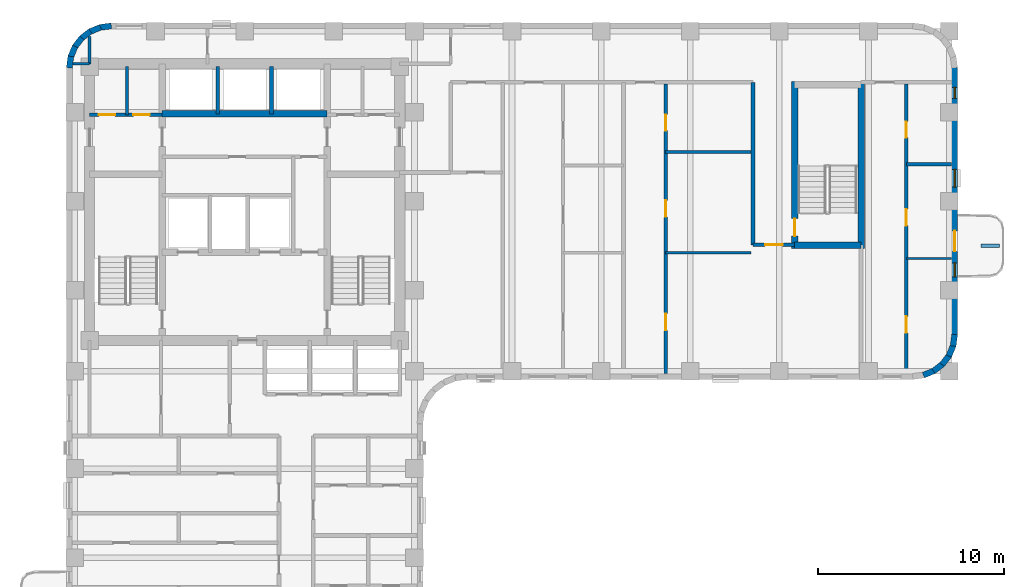
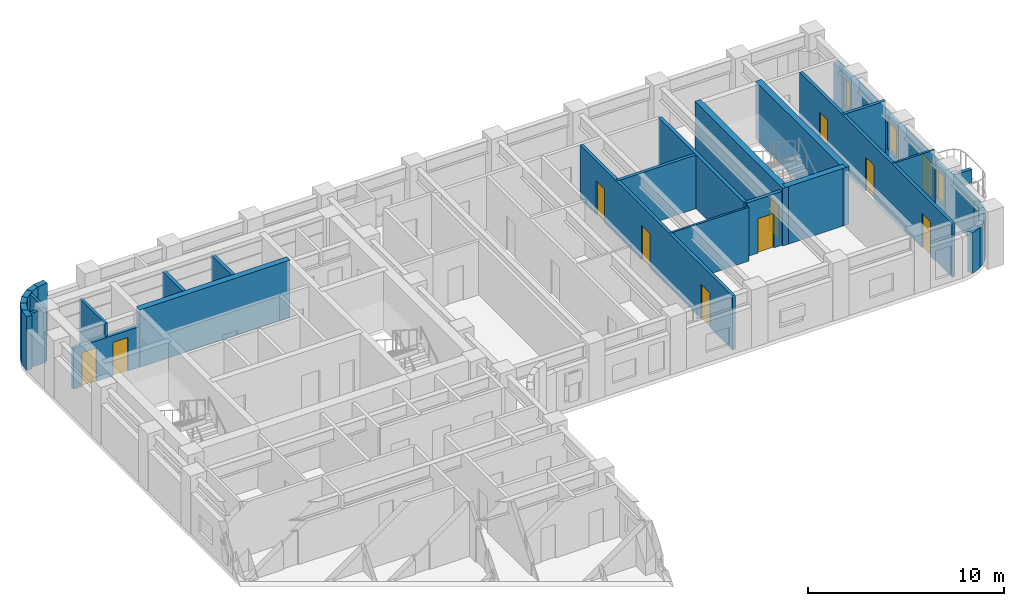
# One storey, part 6 of 10: 31 walls, 11 doors, 3 windows, 14 openings.
"""IFC4 building model written with IfcOpenShell, lengths in metres."""

from ifc_helpers import new_model, si_unit, direction, frame, frame_2d, origin, place, context, subcontext, project, spatial, rectangle, extrude, material, layer, layer_set, type_object, element, fill, save


model = new_model("IFC4")

# Units and contexts
model_context = context("Model", 3, precision=1e-05, world=origin(), true_north=direction((0.0, 1.0)))
body_context = subcontext(model_context, "Body", "Model", "MODEL_VIEW")
ifc_project = project(units=[si_unit("LENGTHUNIT", "METRE"), si_unit("AREAUNIT", "SQUARE_METRE"), si_unit("VOLUMEUNIT", "CUBIC_METRE"), si_unit("PLANEANGLEUNIT", "RADIAN"), si_unit("MASSUNIT", "GRAM", prefix="KILO")], contexts=[model_context])

# Site, building, storey
site_placement = place(None, origin())
site = spatial("IfcSite", under=ifc_project, at=site_placement, CompositionType="ELEMENT")
building_placement = place(site_placement, origin())
building = spatial("IfcBuilding", under=site, at=building_placement, Name="Orvandelia Arch Residences", CompositionType="ELEMENT")
storey_placement = place(building_placement, frame((0.0, 0.0, 110.800048828125)))
storey = spatial("IfcBuildingStorey", under=building, at=storey_placement, Name="L28", CompositionType="ELEMENT", Elevation=110.800048828125)

# Wall
ifc_material_1 = material(Name="Concrete C50/60", Category="concrete")
ifc_layer_1 = layer(ifc_material_1, 0.35009765625, Name="Concrete C50/60", Category="concrete")
ifc_layer_set_1 = layer_set([ifc_layer_1], Name="Concrete C50/60")
wall_type_1 = type_object("IfcWallType", Name="WL-CORE-350", PredefinedType="SHEAR", material=ifc_layer_set_1)
wall_1_placement = place(storey_placement, frame((9.9599609375, 43.10009765625, 0.0), z_axis=(0.0, 0.0, 1.0), x_axis=(1.0, 0.0, 0.0)))
element("IfcWall", 1, at=wall_1_placement, inside=storey, type_object=wall_type_1, Name="Core Shear Wall L28-HZ4", PredefinedType="SHEAR", context=body_context, shape_type="SweptSolid", body=[
    extrude(rectangle(XDim=8.880126953125, YDim=0.35009765625, at=frame_2d((4.43994140625, 0.0))), origin(), (0.0, 0.0, 1.0), 3.599853515625),
])

# Wall, opening, door
wall_2_placement = place(storey_placement, frame((44.02001953125, 35.864990234375, 0.0), z_axis=(0.0, 0.0, 1.0), x_axis=(0.0, 1.0, 0.0)))
wall_2 = element("IfcWall", 2, at=wall_2_placement, inside=storey, type_object=wall_type_1, Name="East Stair Core Shear Wall L28-W", PredefinedType="SHEAR", context=body_context, shape_type="SweptSolid", body=[
    extrude(rectangle(XDim=8.969970703125, YDim=0.35009765625, at=frame_2d((4.48486328125, 0.0))), origin(), (0.0, 0.0, 1.0), 3.599853515625),
])
opening_1_placement = place(wall_2_placement, frame((0.64990234375, 0.0, 0.0)))
opening_1 = element("IfcOpeningElement", 3, at=opening_1_placement, cuts=wall_2, Name="Opening D7", PredefinedType="OPENING", context=body_context, shape_type="SweptSolid", body=[
    extrude(rectangle(XDim=0.949951171875, YDim=2.10009765625, at=frame_2d((0.47509765625, 1.050048828125))), frame((0.0, 0.18505859375, 0.0), z_axis=(0.0, -1.0, 0.0), x_axis=(1.0, 0.0, 0.0)), (0.0, 0.0, 1.0), 0.3701171875),
])
ifc_material_2 = material(Name="Pressurised Stairwell Fire Door")
door_type_1 = type_object("IfcDoorType", Name="DR-STAIR-950", OperationType="NOTDEFINED", PredefinedType="DOOR", material=ifc_material_2)
door_1_placement = place(opening_1_placement, origin())
door_1 = element("IfcDoor", 4, at=door_1_placement, inside=storey, type_object=door_type_1, Name="East Stairwell ST-3 Fire Door L28", OperationType="SINGLE_SWING_LEFT", OverallHeight=2.10009765625, OverallWidth=0.949951171875, PredefinedType="DOOR", context=body_context, shape_type="SweptSolid", body=[
    extrude(rectangle(XDim=0.949951171875, YDim=2.10009765625, at=frame_2d((0.47509765625, 1.050048828125))), frame((0.0, 0.02490234375, 0.0), z_axis=(0.0, -1.0, 0.0), x_axis=(1.0, 0.0, 0.0)), (0.0, 0.0, 1.0), 0.050048828125),
])
fill(opening_1, door_1)

# Walls
wall_3_placement = place(storey_placement, frame((47.60009765625, 35.864990234375, 0.0), z_axis=(0.0, 0.0, 1.0), x_axis=(0.0, 1.0, 0.0)))
element("IfcWall", 5, at=wall_3_placement, inside=storey, type_object=wall_type_1, Name="East Stair Core Shear Wall L28-E", PredefinedType="SHEAR", context=body_context, shape_type="SweptSolid", body=[
    extrude(rectangle(XDim=8.969970703125, YDim=0.35009765625, at=frame_2d((4.48486328125, 0.0))), origin(), (0.0, 0.0, 1.0), 3.599853515625),
])
wall_4_placement = place(storey_placement, frame((44.02001953125, 36.0400390625, 0.0), z_axis=(0.0, 0.0, 1.0), x_axis=(1.0, 0.0, 0.0)))
element("IfcWall", 6, at=wall_4_placement, inside=storey, type_object=wall_type_1, Name="East Stair Core Shear Wall L28-S", PredefinedType="SHEAR", context=body_context, shape_type="SweptSolid", body=[
    extrude(rectangle(XDim=3.580078125, YDim=0.35009765625, at=frame_2d((1.7900390625, 0.0))), origin(), (0.0, 0.0, 1.0), 3.599853515625),
])
ifc_material_3 = material(Name="Fire-Rated Corridor Partition")
ifc_layer_2 = layer(ifc_material_3, 0.199951171875, Name="Fire-Rated Corridor Partition")
ifc_layer_set_2 = layer_set([ifc_layer_2], Name="Fire-Rated Corridor Partition")
wall_type_2 = type_object("IfcWallType", Name="WL-CORR-200", PredefinedType="PARTITIONING", material=ifc_layer_set_2)
wall_5_placement = place(storey_placement, frame((41.780029296875, 36.050048828125, 0.0), z_axis=(0.0, 0.0, 1.0), x_axis=(0.0, 1.0, 0.0)))
element("IfcWall", 7, at=wall_5_placement, inside=storey, type_object=wall_type_2, Name="Interior Partition Wall WL-L28-EN2-SW", PredefinedType="PARTITIONING", context=body_context, shape_type="SweptSolid", body=[
    extrude(rectangle(XDim=8.75, YDim=0.199951171875, at=frame_2d((4.375, 0.0))), origin(), (0.0, 0.0, 1.0), 3.35986328125),
])

# Wall, opening, door
wall_6_placement = place(storey_placement, frame((41.780029296875, 36.050048828125, 0.0), z_axis=(0.0, 0.0, 1.0), x_axis=(1.0, 0.0, 0.0)))
wall_6 = element("IfcWall", 8, at=wall_6_placement, inside=storey, type_object=wall_type_2, Name="Interior Partition Wall WL-L28-EN2-SS", PredefinedType="PARTITIONING", context=body_context, shape_type="SweptSolid", body=[
    extrude(rectangle(XDim=2.239990234375, YDim=0.199951171875, at=frame_2d((1.1201171875, 0.0))), origin(), (0.0, 0.0, 1.0), 3.35986328125),
])
opening_2_placement = place(wall_6_placement, frame((0.64990234375, 0.0, 0.0)))
opening_2 = element("IfcOpeningElement", 9, at=opening_2_placement, cuts=wall_6, Name="Opening D2", PredefinedType="OPENING", context=body_context, shape_type="SweptSolid", body=[
    extrude(rectangle(XDim=0.949951171875, YDim=2.14990234375, at=frame_2d((0.47509765625, 1.074951171875))), frame((0.0, 0.10986328125, 0.0), z_axis=(0.0, -1.0, 0.0), x_axis=(1.0, 0.0, 0.0)), (0.0, 0.0, 1.0), 0.219970703125),
])
ifc_material_4 = material(Name="Solid-Core Timber Interior Fire Door", Category="wood")
door_type_2 = type_object("IfcDoorType", Name="DR-APT-950", OperationType="NOTDEFINED", PredefinedType="DOOR", material=ifc_material_4)
door_2_placement = place(opening_2_placement, origin())
door_2 = element("IfcDoor", 10, at=door_2_placement, inside=storey, type_object=door_type_2, Name="DR-L28-EN2SLN", OperationType="SINGLE_SWING_LEFT", OverallHeight=2.14990234375, OverallWidth=0.949951171875, PredefinedType="DOOR", context=body_context, shape_type="SweptSolid", body=[
    extrude(rectangle(XDim=0.949951171875, YDim=2.14990234375, at=frame_2d((0.47509765625, 1.074951171875))), frame((0.0, 0.02490234375, 0.0), z_axis=(0.0, -1.0, 0.0), x_axis=(1.0, 0.0, 0.0)), (0.0, 0.0, 1.0), 0.050048828125),
])
fill(opening_2, door_2)

# Walls
ifc_material_5 = material(Name="Precast concrete C40/50", Category="concrete")
ifc_layer_3 = layer(ifc_material_5, 0.320068359375, Name="Precast concrete C40/50", Category="concrete")
ifc_layer_set_3 = layer_set([ifc_layer_3], Name="Precast concrete C40/50")
wall_type_3 = type_object("IfcWallType", Name="WL-EXT-STONE-320", PredefinedType="STANDARD", material=ifc_layer_set_3)
for number, where, z_axis, x_axis, name in (
    (11, (4.95849609375, 45.5791015625, 0.0), (0.0, 0.0, 1.0), (0.130555323746, 0.9914410257, 0.0), "Coral-Limestone Precast Facade Wall L28-001"),
    (12, (5.029541015625, 46.159912109375, 0.0), (0.0, 0.0, 1.0), (0.382650053678, 0.92389335771, 0.0), "Coral-Limestone Precast Facade Wall L28-002"),
):
    element("IfcWall", number, at=place(storey_placement, frame(where, z_axis=z_axis, x_axis=x_axis)), inside=storey, type_object=wall_type_3, Name=name, PredefinedType="STANDARD", context=body_context, shape_type="SweptSolid", body=[
        extrude(rectangle(XDim=0.62646484375, YDim=0.320068359375, at=frame_2d((0.313232421875, 0.0))), origin(), (0.0, 0.0, 1.0), 3.35986328125),
    ])
wall_7_placement = place(storey_placement, frame((5.248291015625, 46.70263671875, 0.0), z_axis=(0.0, 0.0, 1.0), x_axis=(0.608938521285, 0.7932174212, 0.0)))
element("IfcWall", 13, at=wall_7_placement, inside=storey, type_object=wall_type_3, Name="Coral-Limestone Precast Facade Wall L28-003", PredefinedType="STANDARD", context=body_context, shape_type="SweptSolid", body=[
    extrude(rectangle(XDim=0.626708984375, YDim=0.320068359375, at=frame_2d((0.3134765625, 0.0))), origin(), (0.0, 0.0, 1.0), 3.35986328125),
])
wall_8_placement = place(storey_placement, frame((5.600341796875, 47.170166015625, 0.0), z_axis=(0.0, 0.0, 1.0), x_axis=(0.793405610854, 0.608693302629, 0.0)))
element("IfcWall", 14, at=wall_8_placement, inside=storey, type_object=wall_type_3, Name="Coral-Limestone Precast Facade Wall L28-004", PredefinedType="STANDARD", context=body_context, shape_type="SweptSolid", body=[
    extrude(rectangle(XDim=0.62646484375, YDim=0.320068359375, at=frame_2d((0.313232421875, 0.0))), origin(), (0.0, 0.0, 1.0), 3.35986328125),
])
wall_9_placement = place(storey_placement, frame((6.061279296875, 47.53076171875, 0.0), z_axis=(0.0, 0.0, 1.0), x_axis=(0.923836271867, 0.382787856107, 0.0)))
element("IfcWall", 15, at=wall_9_placement, inside=storey, type_object=wall_type_3, Name="Coral-Limestone Precast Facade Wall L28-005", PredefinedType="STANDARD", context=body_context, shape_type="SweptSolid", body=[
    extrude(rectangle(XDim=0.626220703125, YDim=0.320068359375, at=frame_2d((0.31298828125, 0.0))), origin(), (0.0, 0.0, 1.0), 3.35986328125),
])
wall_10_placement = place(storey_placement, frame((6.599609375, 47.759521484375, 0.0), z_axis=(0.0, 0.0, 1.0), x_axis=(0.991447664465, 0.130504898859, 0.0)))
element("IfcWall", 16, at=wall_10_placement, inside=storey, type_object=wall_type_3, Name="Coral-Limestone Precast Facade Wall L28-006", PredefinedType="STANDARD", context=body_context, shape_type="SweptSolid", body=[
    extrude(rectangle(XDim=0.626708984375, YDim=0.320068359375, at=frame_2d((0.3134765625, 0.0))), origin(), (0.0, 0.0, 1.0), 3.35986328125),
])

# Wall, openings, door, windows
wall_11_placement = place(storey_placement, frame((52.639892578125, 45.60009765625, 0.0), z_axis=(0.0, 0.0, 1.0), x_axis=(0.0, -1.0, 0.0)))
wall_11 = element("IfcWall", 17, at=wall_11_placement, inside=storey, type_object=wall_type_3, Name="Coral-Limestone Precast Facade Wall L28-014", PredefinedType="STANDARD", context=body_context, shape_type="SweptSolid", body=[
    extrude(rectangle(XDim=14.400146484375, YDim=0.320068359375, at=frame_2d((7.2001953125, 0.0))), origin(), (0.0, 0.0, 1.0), 2.5400390625),
])
opening_3_placement = place(wall_11_placement, frame((8.800048828125, 0.0, 0.0)))
opening_3 = element("IfcOpeningElement", 18, at=opening_3_placement, cuts=wall_11, Name="Opening BD1", PredefinedType="OPENING", context=body_context, shape_type="SweptSolid", body=[
    extrude(rectangle(XDim=1.10009765625, YDim=2.14990234375, at=frame_2d((0.550048828125, 1.074951171875))), frame((0.0, 0.169921875, 0.0), z_axis=(0.0, -1.0, 0.0), x_axis=(1.0, 0.0, 0.0)), (0.0, 0.0, 1.0), 0.340087890625),
])
opening_4_placement = place(wall_11_placement, frame((10.51953125, 0.0, 0.449951171875)))
opening_4 = element("IfcOpeningElement", 19, at=opening_4_placement, cuts=wall_11, Name="Opening W11", PredefinedType="OPENING", context=body_context, shape_type="SweptSolid", body=[
    extrude(rectangle(XDim=0.75, YDim=1.800048828125, at=frame_2d((0.375, 0.89990234375))), frame((0.0, 0.169921875, 0.0), z_axis=(0.0, -1.0, 0.0), x_axis=(1.0, 0.0, 0.0)), (0.0, 0.0, 1.0), 0.340087890625),
])
opening_5_placement = place(wall_11_placement, frame((1.0625, 0.0, 0.449951171875)))
opening_5 = element("IfcOpeningElement", 20, at=opening_5_placement, cuts=wall_11, Name="Opening W12", PredefinedType="OPENING", context=body_context, shape_type="SweptSolid", body=[
    extrude(rectangle(XDim=0.60009765625, YDim=1.800048828125, at=frame_2d((0.300048828125, 0.89990234375))), frame((0.0, 0.169921875, 0.0), z_axis=(0.0, -1.0, 0.0), x_axis=(1.0, 0.0, 0.0)), (0.0, 0.0, 1.0), 0.340087890625),
])
opening_6_placement = place(wall_11_placement, frame((5.486083984375, 0.0, 0.449951171875)))
opening_6 = element("IfcOpeningElement", 21, at=opening_6_placement, cuts=wall_11, Name="Opening W4", PredefinedType="OPENING", context=body_context, shape_type="SweptSolid", body=[
    extrude(rectangle(XDim=0.949951171875, YDim=1.800048828125, at=frame_2d((0.47509765625, 0.89990234375))), frame((0.0, 0.169921875, 0.0), z_axis=(0.0, -1.0, 0.0), x_axis=(1.0, 0.0, 0.0)), (0.0, 0.0, 1.0), 0.340087890625),
])
ifc_material_6 = material(Name="Thermally Broken Aluminium Glazed Door", Category="aluminium")
door_type_3 = type_object("IfcDoorType", Name="DR-BAL-GLAZ-1100", OperationType="NOTDEFINED", PredefinedType="DOOR", material=ifc_material_6)
door_3_placement = place(opening_3_placement, origin())
door_3 = element("IfcDoor", 22, at=door_3_placement, inside=storey, type_object=door_type_3, Name="Tree Balcony Glazed Door BAL-L28-E1", OperationType="SINGLE_SWING_LEFT", OverallHeight=2.14990234375, OverallWidth=1.10009765625, PredefinedType="DOOR", context=body_context, shape_type="SweptSolid", body=[
    extrude(rectangle(XDim=1.10009765625, YDim=2.14990234375, at=frame_2d((0.550048828125, 1.074951171875))), frame((0.0, 0.02490234375, 0.0), z_axis=(0.0, -1.0, 0.0), x_axis=(1.0, 0.0, 0.0)), (0.0, 0.0, 1.0), 0.050048828125),
])
fill(opening_3, door_3)
ifc_material_7 = material(Name="Tempered Low-E Insulated Glazing", Category="glass")
window_type_1 = type_object("IfcWindowType", Name="WIN-BED-0750x1800", PartitioningType="SINGLE_PANEL", PredefinedType="WINDOW", material=ifc_material_7)
window_1_placement = place(opening_4_placement, origin())
window_1 = element("IfcWindow", 23, at=window_1_placement, inside=storey, type_object=window_type_1, Name="Recessed Punched Window L28-004", OverallHeight=1.800048828125, OverallWidth=0.75, PartitioningType="SINGLE_PANEL", PredefinedType="WINDOW", context=body_context, shape_type="SweptSolid", body=[
    extrude(rectangle(XDim=0.75, YDim=1.800048828125, at=frame_2d((0.375, 0.89990234375))), frame((0.0, 0.030029296875, 0.0), z_axis=(0.0, -1.0, 0.0), x_axis=(1.0, 0.0, 0.0)), (0.0, 0.0, 1.0), 0.06005859375),
])
fill(opening_4, window_1)
window_type_2 = type_object("IfcWindowType", Name="WIN-LAN-0600x1800", PartitioningType="SINGLE_PANEL", PredefinedType="WINDOW", material=ifc_material_7)
window_2_placement = place(opening_5_placement, origin())
window_2 = element("IfcWindow", 24, at=window_2_placement, inside=storey, type_object=window_type_2, Name="Recessed Punched Window L28-005", OverallHeight=1.800048828125, OverallWidth=0.60009765625, PartitioningType="SINGLE_PANEL", PredefinedType="WINDOW", context=body_context, shape_type="SweptSolid", body=[
    extrude(rectangle(XDim=0.60009765625, YDim=1.800048828125, at=frame_2d((0.300048828125, 0.89990234375))), frame((0.0, 0.030029296875, 0.0), z_axis=(0.0, -1.0, 0.0), x_axis=(1.0, 0.0, 0.0)), (0.0, 0.0, 1.0), 0.06005859375),
])
fill(opening_5, window_2)
window_type_3 = type_object("IfcWindowType", Name="WIN-RES-0950x1800", PartitioningType="SINGLE_PANEL", PredefinedType="WINDOW", material=ifc_material_7)
window_3_placement = place(opening_6_placement, origin())
window_3 = element("IfcWindow", 25, at=window_3_placement, inside=storey, type_object=window_type_3, Name="Recessed Punched Window L28-006", OverallHeight=1.800048828125, OverallWidth=0.949951171875, PartitioningType="SINGLE_PANEL", PredefinedType="WINDOW", context=body_context, shape_type="SweptSolid", body=[
    extrude(rectangle(XDim=0.949951171875, YDim=1.800048828125, at=frame_2d((0.47509765625, 0.89990234375))), frame((0.0, 0.030029296875, 0.0), z_axis=(0.0, -1.0, 0.0), x_axis=(1.0, 0.0, 0.0)), (0.0, 0.0, 1.0), 0.06005859375),
])
fill(opening_6, window_3)

# Walls
wall_12_placement = place(storey_placement, frame((52.641357421875, 31.220947265625, 0.0), z_axis=(0.0, 0.0, 1.0), x_axis=(-0.130504898859, -0.991447664465, 0.0)))
element("IfcWall", 26, at=wall_12_placement, inside=storey, type_object=wall_type_3, Name="Coral-Limestone Precast Facade Wall L28-015", PredefinedType="STANDARD", context=body_context, shape_type="SweptSolid", body=[
    extrude(rectangle(XDim=0.626708984375, YDim=0.320068359375, at=frame_2d((0.3134765625, 0.0))), origin(), (0.0, 0.0, 1.0), 2.5400390625),
])
wall_13_placement = place(storey_placement, frame((52.5703125, 30.639892578125, 0.0), z_axis=(0.0, 0.0, 1.0), x_axis=(-0.382455093999, -0.923974080304, 0.0)))
element("IfcWall", 27, at=wall_13_placement, inside=storey, type_object=wall_type_3, Name="Coral-Limestone Precast Facade Wall L28-016", PredefinedType="STANDARD", context=body_context, shape_type="SweptSolid", body=[
    extrude(rectangle(XDim=0.626220703125, YDim=0.320068359375, at=frame_2d((0.31298828125, 0.0))), origin(), (0.0, 0.0, 1.0), 2.5400390625),
])
wall_14_placement = place(storey_placement, frame((52.3515625, 30.097412109375, 0.0), z_axis=(0.0, 0.0, 1.0), x_axis=(-0.608693302629, -0.793405610854, 0.0)))
element("IfcWall", 28, at=wall_14_placement, inside=storey, type_object=wall_type_3, Name="Coral-Limestone Precast Facade Wall L28-017", PredefinedType="STANDARD", context=body_context, shape_type="SweptSolid", body=[
    extrude(rectangle(XDim=0.62646484375, YDim=0.320068359375, at=frame_2d((0.313232421875, 0.0))), origin(), (0.0, 0.0, 1.0), 2.5400390625),
])
wall_15_placement = place(storey_placement, frame((51.999755859375, 29.6298828125, 0.0), z_axis=(0.0, 0.0, 1.0), x_axis=(-0.7932174212, -0.608938521285, 0.0)))
element("IfcWall", 29, at=wall_15_placement, inside=storey, type_object=wall_type_3, Name="Coral-Limestone Precast Facade Wall L28-018", PredefinedType="STANDARD", context=body_context, shape_type="SweptSolid", body=[
    extrude(rectangle(XDim=0.626708984375, YDim=0.320068359375, at=frame_2d((0.3134765625, 0.0))), origin(), (0.0, 0.0, 1.0), 2.5400390625),
])
wall_16_placement = place(storey_placement, frame((51.538818359375, 29.269287109375, 0.0), z_axis=(0.0, 0.0, 1.0), x_axis=(-0.92389335771, -0.382650053678, 0.0)))
element("IfcWall", 30, at=wall_16_placement, inside=storey, type_object=wall_type_3, Name="Coral-Limestone Precast Facade Wall L28-019", PredefinedType="STANDARD", context=body_context, shape_type="SweptSolid", body=[
    extrude(rectangle(XDim=0.62646484375, YDim=0.320068359375, at=frame_2d((0.313232421875, 0.0))), origin(), (0.0, 0.0, 1.0), 2.5400390625),
])
ifc_material_8 = material(Name="Lightweight Gypsum Stud Partition")
ifc_layer_4 = layer(ifc_material_8, 0.1201171875, Name="Lightweight Gypsum Stud Partition")
ifc_layer_set_4 = layer_set([ifc_layer_4], Name="Lightweight Gypsum Stud Partition")
wall_type_4 = type_object("IfcWallType", Name="WL-PART-120", PredefinedType="PARTITIONING", material=ifc_layer_set_4)
wall_17_placement = place(storey_placement, frame((37.080078125, 35.62890625, 0.0), z_axis=(0.0, 0.0, 1.0), x_axis=(1.0, 0.0, 0.0)))
element("IfcWall", 31, at=wall_17_placement, inside=storey, type_object=wall_type_4, Name="Interior Partition Wall WL-L28-U09-H1", PredefinedType="PARTITIONING", context=body_context, shape_type="SweptSolid", body=[
    extrude(rectangle(XDim=4.599853515625, YDim=0.1201171875, at=frame_2d((2.2998046875, 0.0))), origin(), (0.0, 0.0, 1.0), 3.35986328125),
])
wall_18_placement = place(storey_placement, frame((50.04296875, 35.31591796875, 0.0), z_axis=(0.0, 0.0, 1.0), x_axis=(1.0, 0.0, 0.0)))
element("IfcWall", 32, at=wall_18_placement, inside=storey, type_object=wall_type_4, Name="Interior Partition Wall WL-L28-U10-H1", PredefinedType="PARTITIONING", context=body_context, shape_type="SweptSolid", body=[
    extrude(rectangle(XDim=2.43701171875, YDim=0.1201171875, at=frame_2d((1.218505859375, 0.0))), origin(), (0.0, 0.0, 1.0), 3.35986328125),
])
ifc_material_9 = material(Name="Acoustic Gypsum Stud Partition")
ifc_layer_5 = layer(ifc_material_9, 0.14990234375, Name="Acoustic Gypsum Stud Partition")
ifc_layer_set_5 = layer_set([ifc_layer_5], Name="Acoustic Gypsum Stud Partition")
wall_type_5 = type_object("IfcWallType", Name="WL-PART-150", PredefinedType="PARTITIONING", material=ifc_layer_set_5)
wall_19_placement = place(storey_placement, frame((8.06005859375, 43.050048828125, 0.0), z_axis=(0.0, 0.0, 1.0), x_axis=(0.0, 1.0, 0.0)))
element("IfcWall", 33, at=wall_19_placement, inside=storey, type_object=wall_type_5, Name="Interior Partition Wall WL-L28-CRELC-M", PredefinedType="PARTITIONING", context=body_context, shape_type="SweptSolid", body=[
    extrude(rectangle(XDim=2.599853515625, YDim=0.14990234375, at=frame_2d((1.2998046875, 0.0))), origin(), (0.0, 0.0, 1.0), 3.35986328125),
])
wall_20_placement = place(storey_placement, frame((5.159912109375, 45.800048828125, 0.0), z_axis=(0.0, 0.0, 1.0), x_axis=(1.0, 0.0, 0.0)))
element("IfcWall", 34, at=wall_20_placement, inside=storey, type_object=wall_type_5, Name="Interior Partition Wall WL-L28-WF-N", PredefinedType="PARTITIONING", context=body_context, shape_type="SweptSolid", body=[
    extrude(rectangle(XDim=0.89013671875, YDim=0.14990234375, at=frame_2d((0.445068359375, 0.0))), origin(), (0.0, 0.0, 1.0), 3.35986328125),
])
wall_21_placement = place(storey_placement, frame((6.050048828125, 45.800048828125, 0.0), z_axis=(0.0, 0.0, 1.0), x_axis=(0.0, 1.0, 0.0)))
element("IfcWall", 35, at=wall_21_placement, inside=storey, type_object=wall_type_5, Name="Interior Partition Wall WL-L28-NC-W6", PredefinedType="PARTITIONING", context=body_context, shape_type="SweptSolid", body=[
    extrude(rectangle(XDim=1.4599609375, YDim=0.14990234375, at=frame_2d((0.72998046875, 0.0))), origin(), (0.0, 0.0, 1.0), 3.35986328125),
])
ifc_layer_6 = layer(ifc_material_5, 0.199951171875, Name="Precast concrete C40/50", Category="concrete")
ifc_layer_set_6 = layer_set([ifc_layer_6], Name="Precast concrete C40/50")
wall_type_6 = type_object("IfcWallType", Name="WL-PLANTER-200", PredefinedType="MOVABLE", material=ifc_layer_set_6)
wall_22_placement = place(storey_placement, frame((54.050048828125, 36.0, 0.0), z_axis=(0.0, 0.0, 1.0), x_axis=(1.0, 0.0, 0.0)))
element("IfcWall", 36, at=wall_22_placement, inside=storey, type_object=wall_type_6, Name="Balcony Precast Tree Planter BAL-L28-E1", PredefinedType="MOVABLE", context=body_context, shape_type="SweptSolid", body=[
    extrude(rectangle(XDim=1.0, YDim=0.199951171875, at=frame_2d((0.5, 0.0))), origin(), (0.0, 0.0, 1.0), 0.849853515625),
])

# Wall, openings, doors
ifc_material_10 = material(Name="Fire-Rated Shaft Enclosure Wall")
ifc_layer_7 = layer(ifc_material_10, 0.199951171875, Name="Fire-Rated Shaft Enclosure Wall")
ifc_layer_set_7 = layer_set([ifc_layer_7], Name="Fire-Rated Shaft Enclosure Wall")
wall_type_7 = type_object("IfcWallType", Name="WL-SHAFT-200", PredefinedType="POLYGONAL", material=ifc_layer_set_7)
wall_23_placement = place(storey_placement, frame((6.050048828125, 43.050048828125, 0.0), z_axis=(0.0, 0.0, 1.0), x_axis=(1.0, 0.0, 0.0)))
wall_23 = element("IfcWall", 37, at=wall_23_placement, inside=storey, type_object=wall_type_7, Name="Interior Partition Wall WL-L28-HLW-N", PredefinedType="POLYGONAL", context=body_context, shape_type="SweptSolid", body=[
    extrude(rectangle(XDim=3.909912109375, YDim=0.199951171875, at=frame_2d((1.955078125, 0.0))), origin(), (0.0, 0.0, 1.0), 2.5400390625),
])
opening_7_placement = place(wall_23_placement, frame((0.5, 0.0, 0.0)))
opening_7 = element("IfcOpeningElement", 38, at=opening_7_placement, cuts=wall_23, Name="Opening D5", PredefinedType="OPENING", context=body_context, shape_type="SweptSolid", body=[
    extrude(rectangle(XDim=0.8798828125, YDim=2.10009765625, at=frame_2d((0.43994140625, 1.050048828125))), frame((0.0, 0.10986328125, 0.0), z_axis=(0.0, -1.0, 0.0), x_axis=(1.0, 0.0, 0.0)), (0.0, 0.0, 1.0), 0.219970703125),
])
opening_8_placement = place(wall_23_placement, frame((2.35009765625, 0.0, 0.0)))
opening_8 = element("IfcOpeningElement", 39, at=opening_8_placement, cuts=wall_23, Name="Opening D5", PredefinedType="OPENING", context=body_context, shape_type="SweptSolid", body=[
    extrude(rectangle(XDim=0.8798828125, YDim=2.10009765625, at=frame_2d((0.43994140625, 1.050048828125))), frame((0.0, 0.10986328125, 0.0), z_axis=(0.0, -1.0, 0.0), x_axis=(1.0, 0.0, 0.0)), (0.0, 0.0, 1.0), 0.219970703125),
])
ifc_material_11 = material(Name="Painted Galvanised Steel Service Door", Category="steel")
door_type_4 = type_object("IfcDoorType", Name="DR-SRV-880", OperationType="NOTDEFINED", PredefinedType="DOOR", material=ifc_material_11)
door_4_placement = place(opening_7_placement, origin())
door_4 = element("IfcDoor", 40, at=door_4_placement, inside=storey, type_object=door_type_4, Name="DR-L28-CRELC1", OperationType="SINGLE_SWING_LEFT", OverallHeight=2.10009765625, OverallWidth=0.8798828125, PredefinedType="DOOR", context=body_context, shape_type="SweptSolid", body=[
    extrude(rectangle(XDim=0.8798828125, YDim=2.10009765625, at=frame_2d((0.43994140625, 1.050048828125))), frame((0.0, 0.02490234375, 0.0), z_axis=(0.0, -1.0, 0.0), x_axis=(1.0, 0.0, 0.0)), (0.0, 0.0, 1.0), 0.050048828125),
])
fill(opening_7, door_4)
door_5_placement = place(opening_8_placement, origin())
door_5 = element("IfcDoor", 41, at=door_5_placement, inside=storey, type_object=door_type_4, Name="DR-L28-CRELC2", OperationType="SINGLE_SWING_RIGHT", OverallHeight=2.10009765625, OverallWidth=0.8798828125, PredefinedType="DOOR", context=body_context, shape_type="SweptSolid", body=[
    extrude(rectangle(XDim=0.8798828125, YDim=2.10009765625, at=frame_2d((0.43994140625, 1.050048828125))), frame((0.0, 0.02490234375, 0.0), z_axis=(0.0, -1.0, 0.0), x_axis=(1.0, 0.0, 0.0)), (0.0, 0.0, 1.0), 0.050048828125),
])
fill(opening_8, door_5)

# Walls
for number, where, z_axis, x_axis, name in (
    (42, (12.949951171875, 43.10009765625, 0.0), (0.0, 0.0, 1.0), (0.0, 1.0, 0.0), "Interior Partition Wall WL-L28-PHD1"),
    (43, (15.85009765625, 43.10009765625, 0.0), (0.0, 0.0, 1.0), (0.0, 1.0, 0.0), "Interior Partition Wall WL-L28-PHD2"),
):
    element("IfcWall", number, at=place(storey_placement, frame(where, z_axis=z_axis, x_axis=x_axis)), inside=storey, type_object=wall_type_7, Name=name, PredefinedType="POLYGONAL", context=body_context, shape_type="SweptSolid", body=[
        extrude(rectangle(XDim=2.5498046875, YDim=0.199951171875, at=frame_2d((1.27490234375, 0.0))), origin(), (0.0, 0.0, 1.0), 3.35986328125),
    ])

# Wall, openings, doors
ifc_material_12 = material(Name="Moisture-Resistant Plumbing Wall")
ifc_layer_8 = layer(ifc_material_12, 0.179931640625, Name="Moisture-Resistant Plumbing Wall")
ifc_layer_set_8 = layer_set([ifc_layer_8], Name="Moisture-Resistant Plumbing Wall")
wall_type_8 = type_object("IfcWallType", Name="WL-WET-180", PredefinedType="PLUMBINGWALL", material=ifc_layer_set_8)
wall_24_placement = place(storey_placement, frame((37.080078125, 29.1201171875, 0.0), z_axis=(0.0, 0.0, 1.0), x_axis=(0.0, 1.0, 0.0)))
wall_24 = element("IfcWall", 44, at=wall_24_placement, inside=storey, type_object=wall_type_8, Name="Interior Partition Wall WL-L28-U09-VT", PredefinedType="PLUMBINGWALL", context=body_context, shape_type="SweptSolid", body=[
    extrude(rectangle(XDim=15.579833984375, YDim=0.179931640625, at=frame_2d((7.7900390625, 0.0))), origin(), (0.0, 0.0, 1.0), 3.35986328125),
])
opening_9_placement = place(wall_24_placement, frame((2.323486328125, 0.0, 0.0)))
opening_9 = element("IfcOpeningElement", 45, at=opening_9_placement, cuts=wall_24, Name="Opening D3", PredefinedType="OPENING", context=body_context, shape_type="SweptSolid", body=[
    extrude(rectangle(XDim=0.89990234375, YDim=2.14990234375, at=frame_2d((0.449951171875, 1.074951171875))), frame((0.0, 0.10009765625, 0.0), z_axis=(0.0, -1.0, 0.0), x_axis=(1.0, 0.0, 0.0)), (0.0, 0.0, 1.0), 0.199951171875),
])
opening_10_placement = place(wall_24_placement, frame((8.430908203125, 0.0, 0.0)))
opening_10 = element("IfcOpeningElement", 46, at=opening_10_placement, cuts=wall_24, Name="Opening D3", PredefinedType="OPENING", context=body_context, shape_type="SweptSolid", body=[
    extrude(rectangle(XDim=0.89990234375, YDim=2.14990234375, at=frame_2d((0.449951171875, 1.074951171875))), frame((0.0, 0.10009765625, 0.0), z_axis=(0.0, -1.0, 0.0), x_axis=(1.0, 0.0, 0.0)), (0.0, 0.0, 1.0), 0.199951171875),
])
opening_11_placement = place(wall_24_placement, frame((13.077392578125, 0.0, 0.0)))
opening_11 = element("IfcOpeningElement", 47, at=opening_11_placement, cuts=wall_24, Name="Opening D4", PredefinedType="OPENING", context=body_context, shape_type="SweptSolid", body=[
    extrude(rectangle(XDim=0.860107421875, YDim=2.10009765625, at=frame_2d((0.43017578125, 1.050048828125))), frame((0.0, 0.10009765625, 0.0), z_axis=(0.0, -1.0, 0.0), x_axis=(1.0, 0.0, 0.0)), (0.0, 0.0, 1.0), 0.199951171875),
])
ifc_material_13 = material(Name="Engineered Timber Flush Door", Category="wood")
door_type_5 = type_object("IfcDoorType", Name="DR-INT-900", OperationType="NOTDEFINED", PredefinedType="DOOR", material=ifc_material_13)
door_6_placement = place(opening_9_placement, origin())
door_6 = element("IfcDoor", 48, at=door_6_placement, inside=storey, type_object=door_type_5, Name="DR-L28-U09-STDY", OperationType="SINGLE_SWING_LEFT", OverallHeight=2.14990234375, OverallWidth=0.89990234375, PredefinedType="DOOR", context=body_context, shape_type="SweptSolid", body=[
    extrude(rectangle(XDim=0.89990234375, YDim=2.14990234375, at=frame_2d((0.449951171875, 1.074951171875))), frame((0.0, 0.02490234375, 0.0), z_axis=(0.0, -1.0, 0.0), x_axis=(1.0, 0.0, 0.0)), (0.0, 0.0, 1.0), 0.050048828125),
])
fill(opening_9, door_6)
door_7_placement = place(opening_10_placement, origin())
door_7 = element("IfcDoor", 49, at=door_7_placement, inside=storey, type_object=door_type_5, Name="DR-L28-U09-KIT", OperationType="SINGLE_SWING_RIGHT", OverallHeight=2.14990234375, OverallWidth=0.89990234375, PredefinedType="DOOR", context=body_context, shape_type="SweptSolid", body=[
    extrude(rectangle(XDim=0.89990234375, YDim=2.14990234375, at=frame_2d((0.449951171875, 1.074951171875))), frame((0.0, 0.02490234375, 0.0), z_axis=(0.0, -1.0, 0.0), x_axis=(1.0, 0.0, 0.0)), (0.0, 0.0, 1.0), 0.050048828125),
])
fill(opening_10, door_7)
ifc_material_14 = material(Name="Moisture-Sealed Timber Bathroom Door", Category="wood")
door_type_6 = type_object("IfcDoorType", Name="DR-WET-900", OperationType="NOTDEFINED", PredefinedType="DOOR", material=ifc_material_14)
door_8_placement = place(opening_11_placement, origin())
door_8 = element("IfcDoor", 50, at=door_8_placement, inside=storey, type_object=door_type_6, Name="DR-L28-U09-BTH", OperationType="SINGLE_SWING_LEFT", OverallHeight=2.10009765625, OverallWidth=0.860107421875, PredefinedType="DOOR", context=body_context, shape_type="SweptSolid", body=[
    extrude(rectangle(XDim=0.860107421875, YDim=2.10009765625, at=frame_2d((0.43017578125, 1.050048828125))), frame((0.0, 0.02490234375, 0.0), z_axis=(0.0, -1.0, 0.0), x_axis=(1.0, 0.0, 0.0)), (0.0, 0.0, 1.0), 0.050048828125),
])
fill(opening_11, door_8)

# Wall
wall_25_placement = place(storey_placement, frame((37.080078125, 41.050048828125, 0.0), z_axis=(0.0, 0.0, 1.0), x_axis=(1.0, 0.0, 0.0)))
element("IfcWall", 51, at=wall_25_placement, inside=storey, type_object=wall_type_8, Name="Interior Partition Wall WL-L28-U09-H2", PredefinedType="PLUMBINGWALL", context=body_context, shape_type="SweptSolid", body=[
    extrude(rectangle(XDim=4.599853515625, YDim=0.179931640625, at=frame_2d((2.2998046875, 0.0))), origin(), (0.0, 0.0, 1.0), 3.35986328125),
])

# Wall, openings, doors
wall_26_placement = place(storey_placement, frame((50.04296875, 29.1201171875, 0.0), z_axis=(0.0, 0.0, 1.0), x_axis=(0.0, 1.0, 0.0)))
wall_26 = element("IfcWall", 52, at=wall_26_placement, inside=storey, type_object=wall_type_8, Name="Interior Partition Wall WL-L28-U10-VT", PredefinedType="PLUMBINGWALL", context=body_context, shape_type="SweptSolid", body=[
    extrude(rectangle(XDim=15.579833984375, YDim=0.179931640625, at=frame_2d((7.7900390625, 0.0))), origin(), (0.0, 0.0, 1.0), 3.35986328125),
])
opening_12_placement = place(wall_26_placement, frame((2.1826171875, 0.0, 0.0)))
opening_12 = element("IfcOpeningElement", 53, at=opening_12_placement, cuts=wall_26, Name="Opening D3", PredefinedType="OPENING", context=body_context, shape_type="SweptSolid", body=[
    extrude(rectangle(XDim=0.89990234375, YDim=2.14990234375, at=frame_2d((0.449951171875, 1.074951171875))), frame((0.0, 0.10009765625, 0.0), z_axis=(0.0, -1.0, 0.0), x_axis=(1.0, 0.0, 0.0)), (0.0, 0.0, 1.0), 0.199951171875),
])
opening_13_placement = place(wall_26_placement, frame((7.958740234375, 0.0, 0.0)))
opening_13 = element("IfcOpeningElement", 54, at=opening_13_placement, cuts=wall_26, Name="Opening D3", PredefinedType="OPENING", context=body_context, shape_type="SweptSolid", body=[
    extrude(rectangle(XDim=0.89990234375, YDim=2.14990234375, at=frame_2d((0.449951171875, 1.074951171875))), frame((0.0, 0.10009765625, 0.0), z_axis=(0.0, -1.0, 0.0), x_axis=(1.0, 0.0, 0.0)), (0.0, 0.0, 1.0), 0.199951171875),
])
opening_14_placement = place(wall_26_placement, frame((12.710693359375, 0.0, 0.0)))
opening_14 = element("IfcOpeningElement", 55, at=opening_14_placement, cuts=wall_26, Name="Opening D4", PredefinedType="OPENING", context=body_context, shape_type="SweptSolid", body=[
    extrude(rectangle(XDim=0.860107421875, YDim=2.10009765625, at=frame_2d((0.43017578125, 1.050048828125))), frame((0.0, 0.10009765625, 0.0), z_axis=(0.0, -1.0, 0.0), x_axis=(1.0, 0.0, 0.0)), (0.0, 0.0, 1.0), 0.199951171875),
])
door_9_placement = place(opening_12_placement, origin())
door_9 = element("IfcDoor", 56, at=door_9_placement, inside=storey, type_object=door_type_5, Name="DR-L28-U10-BD1", OperationType="SINGLE_SWING_RIGHT", OverallHeight=2.14990234375, OverallWidth=0.89990234375, PredefinedType="DOOR", context=body_context, shape_type="SweptSolid", body=[
    extrude(rectangle(XDim=0.89990234375, YDim=2.14990234375, at=frame_2d((0.449951171875, 1.074951171875))), frame((0.0, 0.02490234375, 0.0), z_axis=(0.0, -1.0, 0.0), x_axis=(1.0, 0.0, 0.0)), (0.0, 0.0, 1.0), 0.050048828125),
])
fill(opening_12, door_9)
door_10_placement = place(opening_13_placement, origin())
door_10 = element("IfcDoor", 57, at=door_10_placement, inside=storey, type_object=door_type_5, Name="DR-L28-U10-KIT", OperationType="SINGLE_SWING_LEFT", OverallHeight=2.14990234375, OverallWidth=0.89990234375, PredefinedType="DOOR", context=body_context, shape_type="SweptSolid", body=[
    extrude(rectangle(XDim=0.89990234375, YDim=2.14990234375, at=frame_2d((0.449951171875, 1.074951171875))), frame((0.0, 0.02490234375, 0.0), z_axis=(0.0, -1.0, 0.0), x_axis=(1.0, 0.0, 0.0)), (0.0, 0.0, 1.0), 0.050048828125),
])
fill(opening_13, door_10)
door_11_placement = place(opening_14_placement, origin())
door_11 = element("IfcDoor", 58, at=door_11_placement, inside=storey, type_object=door_type_6, Name="DR-L28-U10-BTH", OperationType="SINGLE_SWING_RIGHT", OverallHeight=2.10009765625, OverallWidth=0.860107421875, PredefinedType="DOOR", context=body_context, shape_type="SweptSolid", body=[
    extrude(rectangle(XDim=0.860107421875, YDim=2.10009765625, at=frame_2d((0.43017578125, 1.050048828125))), frame((0.0, 0.02490234375, 0.0), z_axis=(0.0, -1.0, 0.0), x_axis=(1.0, 0.0, 0.0)), (0.0, 0.0, 1.0), 0.050048828125),
])
fill(opening_14, door_11)

# Wall
wall_27_placement = place(storey_placement, frame((50.04296875, 40.383056640625, 0.0), z_axis=(0.0, 0.0, 1.0), x_axis=(1.0, 0.0, 0.0)))
element("IfcWall", 59, at=wall_27_placement, inside=storey, type_object=wall_type_8, Name="Interior Partition Wall WL-L28-U10-H2", PredefinedType="PLUMBINGWALL", context=body_context, shape_type="SweptSolid", body=[
    extrude(rectangle(XDim=2.43701171875, YDim=0.179931640625, at=frame_2d((1.218505859375, 0.0))), origin(), (0.0, 0.0, 1.0), 3.35986328125),
])

save(model, "model.ifc")
